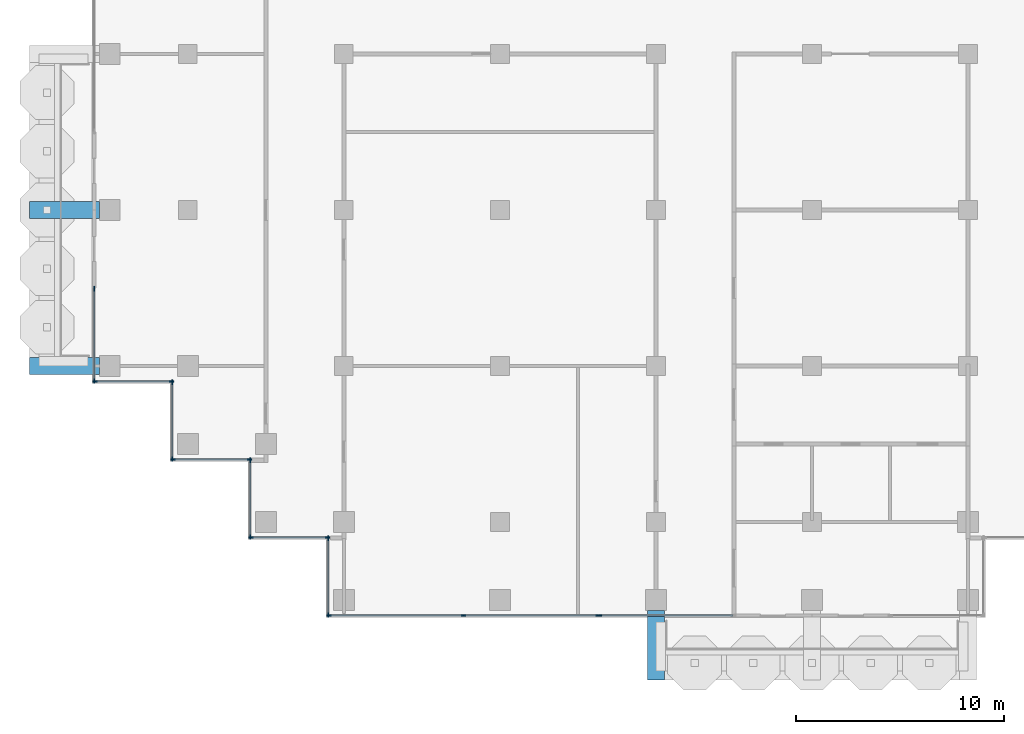
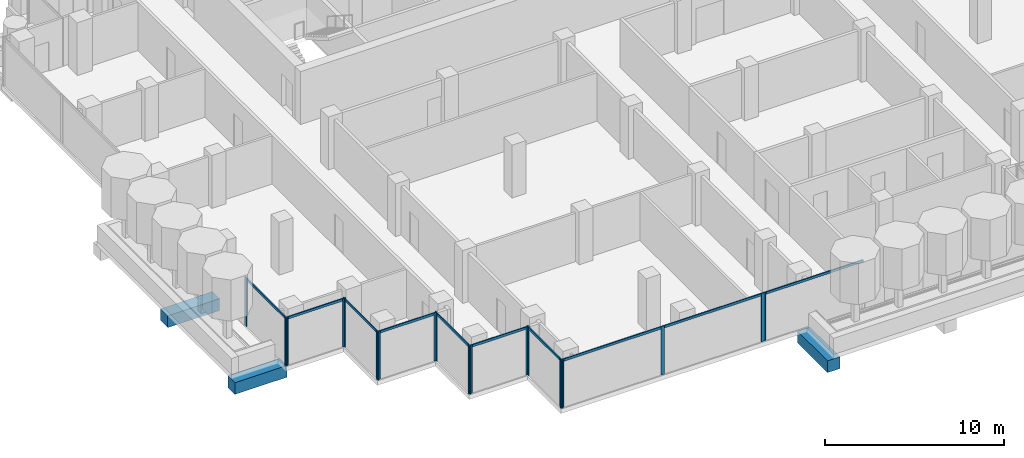
# One storey, part 2 of 18: 28 members, 3 beams, 9 elements without a shape of their own.
"""IFC4 building model written with IfcOpenShell, lengths in metres."""

from ifc_helpers import new_model, si_unit, direction, frame, origin, origin_2d, place, context, subcontext, project, spatial, rectangle, extrude, material, material_profile, profile_set, type_object, element, aggregate, save


model = new_model("IFC4")

# Units and contexts
model_context = context("Model", 3, precision=1e-05, world=origin(), true_north=direction((0.0, 1.0)))
body_context = subcontext(model_context, "Body", "Model", "MODEL_VIEW")
ifc_project = project(units=[si_unit("LENGTHUNIT", "METRE"), si_unit("AREAUNIT", "SQUARE_METRE"), si_unit("VOLUMEUNIT", "CUBIC_METRE"), si_unit("PLANEANGLEUNIT", "RADIAN"), si_unit("MASSUNIT", "GRAM", prefix="KILO")], contexts=[model_context])

# Site, building, storey
site_placement = place(None, origin())
site = spatial("IfcSite", under=ifc_project, at=site_placement, CompositionType="ELEMENT")
building_placement = place(site_placement, origin())
building = spatial("IfcBuilding", under=site, at=building_placement, Name="Pilkhan Gate Tower", CompositionType="ELEMENT")
storey_placement = place(building_placement, frame((0.0, 0.0, 195.89990234375)))
storey = spatial("IfcBuildingStorey", under=building, at=storey_placement, Name="L50", CompositionType="ELEMENT", Elevation=195.89990234375)

# Beams
ifc_material_1 = material(Name="Concrete C50/60", Category="concrete")
ifc_material_profile_1 = material_profile(ifc_material_1, rectangle(XDim=0.800048828125, YDim=0.800048828125, at=origin_2d()), Name="RC 800x800")
ifc_profile_set_1 = profile_set([ifc_material_profile_1], Name="Concrete C50/60")
beam_type = type_object("IfcBeamType", Name="Cantilever beam CB2 RC 800x800 C50/60", PredefinedType="BEAM", material=ifc_profile_set_1)
for number, where, z_axis, x_axis, name in (
    (1, (75.0, 40.75, -0.699951171875), (0.0, -1.0, 0.0), (1.0, 0.0, 0.0), "Balcony beam S.1 L50"),
    (2, (48.25, 52.5, -0.699951171875), (-1.0, 0.0, 0.0), (0.0, -1.0, 0.0), "Balcony beam W.1 L50"),
    (3, (48.25, 60.0, -0.699951171875), (-1.0, 0.0, 0.0), (0.0, -1.0, 0.0), "Balcony beam W.2 L50"),
):
    element("IfcBeam", number, at=place(storey_placement, frame(where, z_axis=z_axis, x_axis=x_axis)), inside=storey, type_object=beam_type, Name=name, PredefinedType="BEAM", context=body_context, shape_type="SweptSolid", body=[
        extrude(rectangle(XDim=0.800048828125, YDim=0.800048828125, at=origin_2d()), origin(), (0.0, 0.0, 1.0), 3.35009765625),
    ])

# Curtain wall, members
ifc_material_2 = material(Name="Pale anodised aluminium, clear low-iron double glazing", Category="aluminium")
curtain_wall_type = type_object("IfcCurtainWallType", Name="Office unitised curtain wall CW-O2", PredefinedType="USERDEFINED", material=ifc_material_2)
curtain_wall_1_placement = place(storey_placement, origin())
curtain_wall_1 = element("IfcCurtainWall", 4, at=curtain_wall_1_placement, inside=storey, type_object=curtain_wall_type, Name="Office unitised curtain wall CW-O2 L50 W", ObjectType="UNITISED CURTAIN WALL", PredefinedType="USERDEFINED")
ifc_material_3 = material(Name="Pale anodised aluminium", Category="aluminium")
ifc_material_profile_2 = material_profile(ifc_material_3, rectangle(XDim=0.06494140625, YDim=0.22509765625, at=origin_2d()), Name="Mullion 225x65")
ifc_profile_set_2 = profile_set([ifc_material_profile_2], Name="Pale anodised aluminium")
member_type_1 = type_object("IfcMemberType", Name="Mullion CW-O2 225x65", PredefinedType="MULLION", material=ifc_profile_set_2)
member_1_placement = place(storey_placement, frame((48.0, 51.782470703125, 0.0), z_axis=(0.0, 0.0, 1.0), x_axis=(-1.0, 0.0, 0.0)))
member_1 = element("IfcMember", 5, at=member_1_placement, type_object=member_type_1, Name="CW-O2 mullion 1", PredefinedType="MULLION", context=body_context, shape_type="SweptSolid", body=[
    extrude(rectangle(XDim=0.06494140625, YDim=0.22509765625, at=origin_2d()), origin(), (0.0, 0.0, 1.0), 3.300048828125),
])
member_2_placement = place(storey_placement, frame((48.0, 56.217529296875, 0.0), z_axis=(0.0, 0.0, 1.0), x_axis=(-1.0, 0.0, 0.0)))
member_2 = element("IfcMember", 6, at=member_2_placement, type_object=member_type_1, Name="CW-O2 mullion 2", PredefinedType="MULLION", context=body_context, shape_type="SweptSolid", body=[
    extrude(rectangle(XDim=0.06494140625, YDim=0.22509765625, at=origin_2d()), origin(), (0.0, 0.0, 1.0), 3.300048828125),
])

curtain_wall_2_placement = place(storey_placement, origin())
curtain_wall_2 = element("IfcCurtainWall", 7, at=curtain_wall_2_placement, inside=storey, type_object=curtain_wall_type, Name="Office unitised curtain wall CW-O2 L50 S", ObjectType="UNITISED CURTAIN WALL", PredefinedType="USERDEFINED")
member_3_placement = place(storey_placement, frame((48.032470703125, 51.75, 0.0), z_axis=(0.0, 0.0, 1.0), x_axis=(0.0, 1.0, 0.0)))
member_3 = element("IfcMember", 8, at=member_3_placement, type_object=member_type_1, Name="CW-O2 mullion 1", PredefinedType="MULLION", context=body_context, shape_type="SweptSolid", body=[
    extrude(rectangle(XDim=0.06494140625, YDim=0.22509765625, at=origin_2d()), origin(), (0.0, 0.0, 1.0), 3.300048828125),
])
member_4_placement = place(storey_placement, frame((51.717529296875, 51.75, 0.0), z_axis=(0.0, 0.0, 1.0), x_axis=(0.0, 1.0, 0.0)))
member_4 = element("IfcMember", 9, at=member_4_placement, type_object=member_type_1, Name="CW-O2 mullion 2", PredefinedType="MULLION", context=body_context, shape_type="SweptSolid", body=[
    extrude(rectangle(XDim=0.06494140625, YDim=0.22509765625, at=origin_2d()), origin(), (0.0, 0.0, 1.0), 3.300048828125),
])

curtain_wall_3_placement = place(storey_placement, origin())
curtain_wall_3 = element("IfcCurtainWall", 10, at=curtain_wall_3_placement, inside=storey, type_object=curtain_wall_type, Name="Office unitised curtain wall CW-O2 L50 W", ObjectType="UNITISED CURTAIN WALL", PredefinedType="USERDEFINED")
member_5_placement = place(storey_placement, frame((51.75, 48.032470703125, 0.0), z_axis=(0.0, 0.0, 1.0), x_axis=(-1.0, 0.0, 0.0)))
member_5 = element("IfcMember", 11, at=member_5_placement, type_object=member_type_1, Name="CW-O2 mullion 1", PredefinedType="MULLION", context=body_context, shape_type="SweptSolid", body=[
    extrude(rectangle(XDim=0.06494140625, YDim=0.22509765625, at=origin_2d()), origin(), (0.0, 0.0, 1.0), 3.300048828125),
])
member_6_placement = place(storey_placement, frame((51.75, 51.717529296875, 0.0), z_axis=(0.0, 0.0, 1.0), x_axis=(-1.0, 0.0, 0.0)))
member_6 = element("IfcMember", 12, at=member_6_placement, type_object=member_type_1, Name="CW-O2 mullion 2", PredefinedType="MULLION", context=body_context, shape_type="SweptSolid", body=[
    extrude(rectangle(XDim=0.06494140625, YDim=0.22509765625, at=origin_2d()), origin(), (0.0, 0.0, 1.0), 3.300048828125),
])

curtain_wall_4_placement = place(storey_placement, origin())
curtain_wall_4 = element("IfcCurtainWall", 13, at=curtain_wall_4_placement, inside=storey, type_object=curtain_wall_type, Name="Office unitised curtain wall CW-O2 L50 S", ObjectType="UNITISED CURTAIN WALL", PredefinedType="USERDEFINED")
member_7_placement = place(storey_placement, frame((51.782470703125, 48.0, 0.0), z_axis=(0.0, 0.0, 1.0), x_axis=(0.0, 1.0, 0.0)))
member_7 = element("IfcMember", 14, at=member_7_placement, type_object=member_type_1, Name="CW-O2 mullion 1", PredefinedType="MULLION", context=body_context, shape_type="SweptSolid", body=[
    extrude(rectangle(XDim=0.06494140625, YDim=0.22509765625, at=origin_2d()), origin(), (0.0, 0.0, 1.0), 3.300048828125),
])
member_8_placement = place(storey_placement, frame((55.467529296875, 48.0, 0.0), z_axis=(0.0, 0.0, 1.0), x_axis=(0.0, 1.0, 0.0)))
member_8 = element("IfcMember", 15, at=member_8_placement, type_object=member_type_1, Name="CW-O2 mullion 2", PredefinedType="MULLION", context=body_context, shape_type="SweptSolid", body=[
    extrude(rectangle(XDim=0.06494140625, YDim=0.22509765625, at=origin_2d()), origin(), (0.0, 0.0, 1.0), 3.300048828125),
])

curtain_wall_5_placement = place(storey_placement, origin())
curtain_wall_5 = element("IfcCurtainWall", 16, at=curtain_wall_5_placement, inside=storey, type_object=curtain_wall_type, Name="Office unitised curtain wall CW-O2 L50 W", ObjectType="UNITISED CURTAIN WALL", PredefinedType="USERDEFINED")
member_9_placement = place(storey_placement, frame((55.5, 44.282470703125, 0.0), z_axis=(0.0, 0.0, 1.0), x_axis=(-1.0, 0.0, 0.0)))
member_9 = element("IfcMember", 17, at=member_9_placement, type_object=member_type_1, Name="CW-O2 mullion 1", PredefinedType="MULLION", context=body_context, shape_type="SweptSolid", body=[
    extrude(rectangle(XDim=0.06494140625, YDim=0.22509765625, at=origin_2d()), origin(), (0.0, 0.0, 1.0), 3.300048828125),
])
member_10_placement = place(storey_placement, frame((55.5, 47.967529296875, 0.0), z_axis=(0.0, 0.0, 1.0), x_axis=(-1.0, 0.0, 0.0)))
member_10 = element("IfcMember", 18, at=member_10_placement, type_object=member_type_1, Name="CW-O2 mullion 2", PredefinedType="MULLION", context=body_context, shape_type="SweptSolid", body=[
    extrude(rectangle(XDim=0.06494140625, YDim=0.22509765625, at=origin_2d()), origin(), (0.0, 0.0, 1.0), 3.300048828125),
])

curtain_wall_6_placement = place(storey_placement, origin())
curtain_wall_6 = element("IfcCurtainWall", 19, at=curtain_wall_6_placement, inside=storey, type_object=curtain_wall_type, Name="Office unitised curtain wall CW-O2 L50 S", ObjectType="UNITISED CURTAIN WALL", PredefinedType="USERDEFINED")
member_11_placement = place(storey_placement, frame((55.532470703125, 44.25, 0.0), z_axis=(0.0, 0.0, 1.0), x_axis=(0.0, 1.0, 0.0)))
member_11 = element("IfcMember", 20, at=member_11_placement, type_object=member_type_1, Name="CW-O2 mullion 1", PredefinedType="MULLION", context=body_context, shape_type="SweptSolid", body=[
    extrude(rectangle(XDim=0.06494140625, YDim=0.22509765625, at=origin_2d()), origin(), (0.0, 0.0, 1.0), 3.300048828125),
])
member_12_placement = place(storey_placement, frame((59.217529296875, 44.25, 0.0), z_axis=(0.0, 0.0, 1.0), x_axis=(0.0, 1.0, 0.0)))
member_12 = element("IfcMember", 21, at=member_12_placement, type_object=member_type_1, Name="CW-O2 mullion 2", PredefinedType="MULLION", context=body_context, shape_type="SweptSolid", body=[
    extrude(rectangle(XDim=0.06494140625, YDim=0.22509765625, at=origin_2d()), origin(), (0.0, 0.0, 1.0), 3.300048828125),
])

curtain_wall_7_placement = place(storey_placement, origin())
curtain_wall_7 = element("IfcCurtainWall", 22, at=curtain_wall_7_placement, inside=storey, type_object=curtain_wall_type, Name="Office unitised curtain wall CW-O2 L50 W", ObjectType="UNITISED CURTAIN WALL", PredefinedType="USERDEFINED")
member_13_placement = place(storey_placement, frame((59.25, 40.532470703125, 0.0), z_axis=(0.0, 0.0, 1.0), x_axis=(-1.0, 0.0, 0.0)))
member_13 = element("IfcMember", 23, at=member_13_placement, type_object=member_type_1, Name="CW-O2 mullion 1", PredefinedType="MULLION", context=body_context, shape_type="SweptSolid", body=[
    extrude(rectangle(XDim=0.06494140625, YDim=0.22509765625, at=origin_2d()), origin(), (0.0, 0.0, 1.0), 3.300048828125),
])
member_14_placement = place(storey_placement, frame((59.25, 44.217529296875, 0.0), z_axis=(0.0, 0.0, 1.0), x_axis=(-1.0, 0.0, 0.0)))
member_14 = element("IfcMember", 24, at=member_14_placement, type_object=member_type_1, Name="CW-O2 mullion 2", PredefinedType="MULLION", context=body_context, shape_type="SweptSolid", body=[
    extrude(rectangle(XDim=0.06494140625, YDim=0.22509765625, at=origin_2d()), origin(), (0.0, 0.0, 1.0), 3.300048828125),
])

curtain_wall_8_placement = place(storey_placement, origin())
curtain_wall_8 = element("IfcCurtainWall", 25, at=curtain_wall_8_placement, inside=storey, type_object=curtain_wall_type, Name="Office unitised curtain wall CW-O2 L50 S", ObjectType="UNITISED CURTAIN WALL", PredefinedType="USERDEFINED")
member_15_placement = place(storey_placement, frame((59.282470703125, 40.5, 0.0), z_axis=(0.0, 0.0, 1.0), x_axis=(0.0, 1.0, 0.0)))
member_15 = element("IfcMember", 26, at=member_15_placement, type_object=member_type_1, Name="CW-O2 mullion 1", PredefinedType="MULLION", context=body_context, shape_type="SweptSolid", body=[
    extrude(rectangle(XDim=0.06494140625, YDim=0.22509765625, at=origin_2d()), origin(), (0.0, 0.0, 1.0), 3.300048828125),
])
member_16_placement = place(storey_placement, frame((65.75, 40.5, 0.0), z_axis=(0.0, 0.0, 1.0), x_axis=(0.0, 1.0, 0.0)))
member_16 = element("IfcMember", 27, at=member_16_placement, type_object=member_type_1, Name="CW-O2 mullion 2", PredefinedType="MULLION", context=body_context, shape_type="SweptSolid", body=[
    extrude(rectangle(XDim=0.06494140625, YDim=0.22509765625, at=origin_2d()), origin(), (0.0, 0.0, 1.0), 3.300048828125),
])
member_17_placement = place(storey_placement, frame((72.217529296875, 40.5, 0.0), z_axis=(0.0, 0.0, 1.0), x_axis=(0.0, 1.0, 0.0)))
member_17 = element("IfcMember", 28, at=member_17_placement, type_object=member_type_1, Name="CW-O2 mullion 3", PredefinedType="MULLION", context=body_context, shape_type="SweptSolid", body=[
    extrude(rectangle(XDim=0.06494140625, YDim=0.22509765625, at=origin_2d()), origin(), (0.0, 0.0, 1.0), 3.300048828125),
])

# Curtain wall, member
curtain_wall_9_placement = place(storey_placement, origin())
curtain_wall_9 = element("IfcCurtainWall", 29, at=curtain_wall_9_placement, inside=storey, type_object=curtain_wall_type, Name="Office unitised curtain wall CW-O2 L50 S", ObjectType="UNITISED CURTAIN WALL", PredefinedType="USERDEFINED")
member_18_placement = place(storey_placement, frame((72.282470703125, 40.5, 0.0), z_axis=(0.0, 0.0, 1.0), x_axis=(0.0, 1.0, 0.0)))
member_18 = element("IfcMember", 30, at=member_18_placement, type_object=member_type_1, Name="CW-O2 mullion 1", PredefinedType="MULLION", context=body_context, shape_type="SweptSolid", body=[
    extrude(rectangle(XDim=0.06494140625, YDim=0.22509765625, at=origin_2d()), origin(), (0.0, 0.0, 1.0), 3.300048828125),
])

# Member
ifc_material_profile_3 = material_profile(ifc_material_3, rectangle(XDim=0.06494140625, YDim=0.1650390625, at=origin_2d()), Name="Transom 165x65")
ifc_profile_set_3 = profile_set([ifc_material_profile_3], Name="Pale anodised aluminium")
member_type_2 = type_object("IfcMemberType", Name="Transom CW-O2 165x65", PredefinedType="USERDEFINED", material=ifc_profile_set_3)
member_19_placement = place(storey_placement, frame((48.0, 51.81494140625, 3.217529296875), z_axis=(0.0, 1.0, 0.0), x_axis=(-1.0, 0.0, 0.0)))
member_19 = element("IfcMember", 31, at=member_19_placement, type_object=member_type_2, Name="CW-O2 transom 1", ObjectType="TRANSOM", PredefinedType="USERDEFINED", context=body_context, shape_type="SweptSolid", body=[
    extrude(rectangle(XDim=0.06494140625, YDim=0.1650390625, at=origin_2d()), origin(), (0.0, 0.0, 1.0), 4.3701171875),
])

aggregate(curtain_wall_1, [member_1, member_2, member_19])

member_20_placement = place(storey_placement, frame((48.06494140625, 51.75, 3.217529296875), z_axis=(1.0, 0.0, 0.0), x_axis=(0.0, 1.0, 0.0)))
member_20 = element("IfcMember", 32, at=member_20_placement, type_object=member_type_2, Name="CW-O2 transom 1", ObjectType="TRANSOM", PredefinedType="USERDEFINED", context=body_context, shape_type="SweptSolid", body=[
    extrude(rectangle(XDim=0.06494140625, YDim=0.1650390625, at=origin_2d()), origin(), (0.0, 0.0, 1.0), 3.6201171875),
])

aggregate(curtain_wall_2, [member_3, member_4, member_20])

member_21_placement = place(storey_placement, frame((51.75, 48.06494140625, 3.217529296875), z_axis=(0.0, 1.0, 0.0), x_axis=(-1.0, 0.0, 0.0)))
member_21 = element("IfcMember", 33, at=member_21_placement, type_object=member_type_2, Name="CW-O2 transom 1", ObjectType="TRANSOM", PredefinedType="USERDEFINED", context=body_context, shape_type="SweptSolid", body=[
    extrude(rectangle(XDim=0.06494140625, YDim=0.1650390625, at=origin_2d()), origin(), (0.0, 0.0, 1.0), 3.6201171875),
])

aggregate(curtain_wall_3, [member_5, member_6, member_21])

member_22_placement = place(storey_placement, frame((51.81494140625, 48.0, 3.217529296875), z_axis=(1.0, 0.0, 0.0), x_axis=(0.0, 1.0, 0.0)))
member_22 = element("IfcMember", 34, at=member_22_placement, type_object=member_type_2, Name="CW-O2 transom 1", ObjectType="TRANSOM", PredefinedType="USERDEFINED", context=body_context, shape_type="SweptSolid", body=[
    extrude(rectangle(XDim=0.06494140625, YDim=0.1650390625, at=origin_2d()), origin(), (0.0, 0.0, 1.0), 3.6201171875),
])

aggregate(curtain_wall_4, [member_7, member_8, member_22])

member_23_placement = place(storey_placement, frame((55.5, 44.31494140625, 3.217529296875), z_axis=(0.0, 1.0, 0.0), x_axis=(-1.0, 0.0, 0.0)))
member_23 = element("IfcMember", 35, at=member_23_placement, type_object=member_type_2, Name="CW-O2 transom 1", ObjectType="TRANSOM", PredefinedType="USERDEFINED", context=body_context, shape_type="SweptSolid", body=[
    extrude(rectangle(XDim=0.06494140625, YDim=0.1650390625, at=origin_2d()), origin(), (0.0, 0.0, 1.0), 3.6201171875),
])

aggregate(curtain_wall_5, [member_9, member_10, member_23])

member_24_placement = place(storey_placement, frame((55.56494140625, 44.25, 3.217529296875), z_axis=(1.0, 0.0, 0.0), x_axis=(0.0, 1.0, 0.0)))
member_24 = element("IfcMember", 36, at=member_24_placement, type_object=member_type_2, Name="CW-O2 transom 1", ObjectType="TRANSOM", PredefinedType="USERDEFINED", context=body_context, shape_type="SweptSolid", body=[
    extrude(rectangle(XDim=0.06494140625, YDim=0.1650390625, at=origin_2d()), origin(), (0.0, 0.0, 1.0), 3.6201171875),
])

aggregate(curtain_wall_6, [member_11, member_12, member_24])

member_25_placement = place(storey_placement, frame((59.25, 40.56494140625, 3.217529296875), z_axis=(0.0, 1.0, 0.0), x_axis=(-1.0, 0.0, 0.0)))
member_25 = element("IfcMember", 37, at=member_25_placement, type_object=member_type_2, Name="CW-O2 transom 1", ObjectType="TRANSOM", PredefinedType="USERDEFINED", context=body_context, shape_type="SweptSolid", body=[
    extrude(rectangle(XDim=0.06494140625, YDim=0.1650390625, at=origin_2d()), origin(), (0.0, 0.0, 1.0), 3.6201171875),
])

aggregate(curtain_wall_7, [member_13, member_14, member_25])

member_26_placement = place(storey_placement, frame((59.31494140625, 40.5, 3.217529296875), z_axis=(1.0, 0.0, 0.0), x_axis=(0.0, 1.0, 0.0)))
member_26 = element("IfcMember", 38, at=member_26_placement, type_object=member_type_2, Name="CW-O2 transom 1", ObjectType="TRANSOM", PredefinedType="USERDEFINED", context=body_context, shape_type="SweptSolid", body=[
    extrude(rectangle(XDim=0.06494140625, YDim=0.1650390625, at=origin_2d()), origin(), (0.0, 0.0, 1.0), 6.402587890625),
])

member_27_placement = place(storey_placement, frame((65.782470703125, 40.5, 3.217529296875), z_axis=(1.0, 0.0, 0.0), x_axis=(0.0, 1.0, 0.0)))
member_27 = element("IfcMember", 39, at=member_27_placement, type_object=member_type_2, Name="CW-O2 transom 2", ObjectType="TRANSOM", PredefinedType="USERDEFINED", context=body_context, shape_type="SweptSolid", body=[
    extrude(rectangle(XDim=0.06494140625, YDim=0.1650390625, at=origin_2d()), origin(), (0.0, 0.0, 1.0), 6.402587890625),
])

aggregate(curtain_wall_8, [member_15, member_16, member_17, member_26, member_27])

member_28_placement = place(storey_placement, frame((72.31494140625, 40.5, 3.217529296875), z_axis=(1.0, 0.0, 0.0), x_axis=(0.0, 1.0, 0.0)))
member_28 = element("IfcMember", 40, at=member_28_placement, type_object=member_type_2, Name="CW-O2 transom 1", ObjectType="TRANSOM", PredefinedType="USERDEFINED", context=body_context, shape_type="SweptSolid", body=[
    extrude(rectangle(XDim=0.06494140625, YDim=0.1650390625, at=origin_2d()), origin(), (0.0, 0.0, 1.0), 6.3701171875),
])

aggregate(curtain_wall_9, [member_18, member_28])

save(model, "model.ifc")
